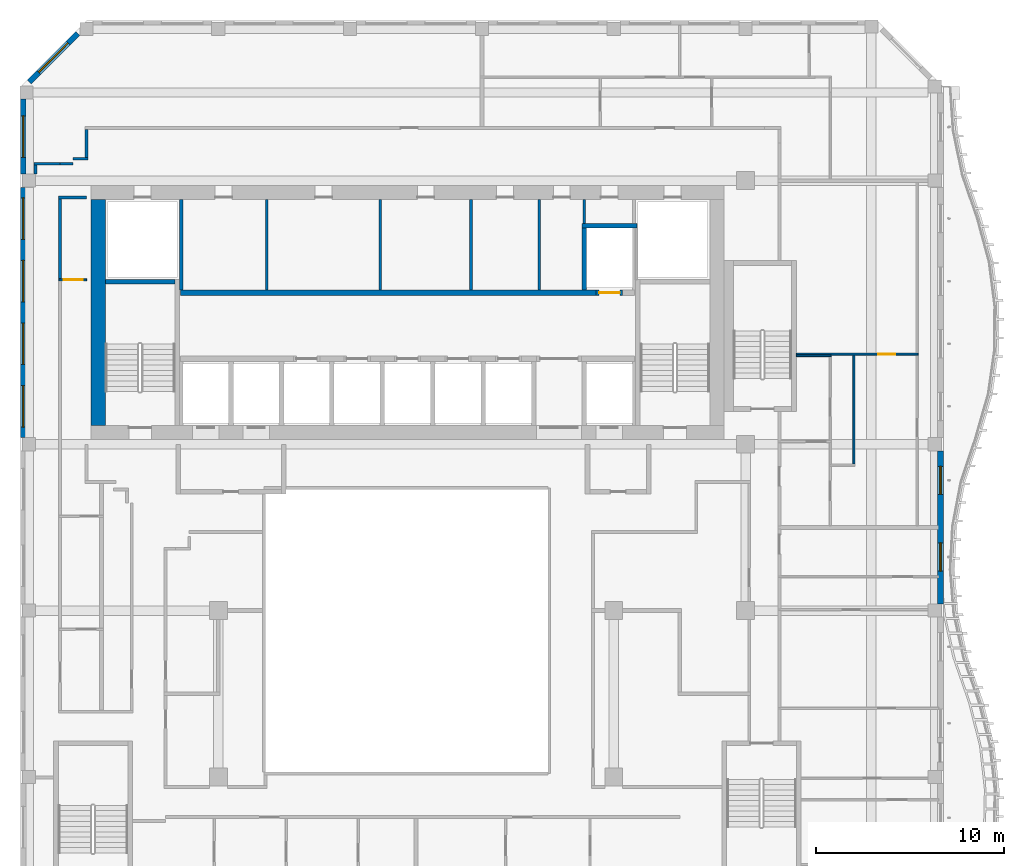
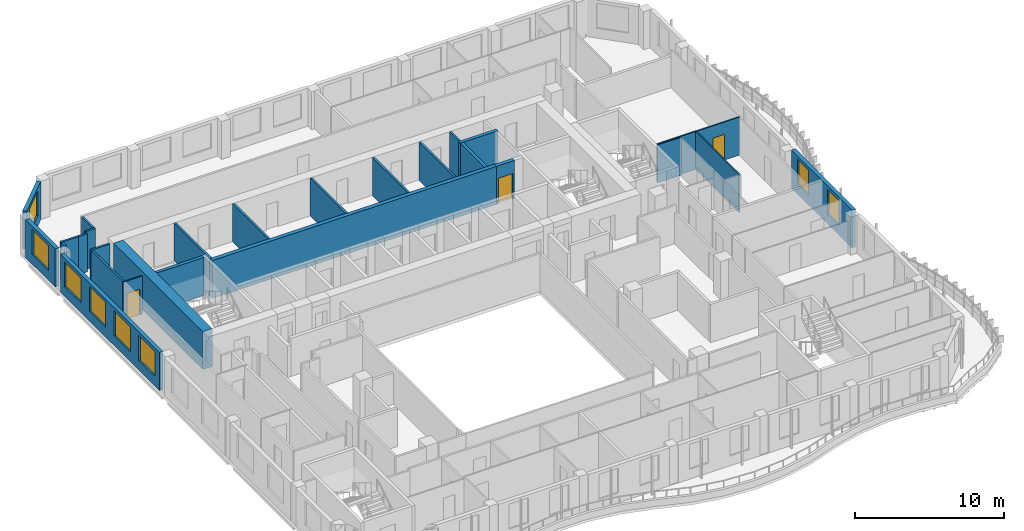
# One storey, part 7 of 19: 27 walls, 8 windows, 3 doors, 11 openings.
"""IFC4 building model written with IfcOpenShell, lengths in metres."""

from ifc_helpers import new_model, si_unit, direction, frame, frame_2d, origin, place, context, subcontext, project, spatial, rectangle, extrude, source, transform, mapped, material, layer, layer_set, type_object, element, fill, save


model = new_model("IFC4")

# Units and contexts
model_context = context("Model", 3, precision=1e-05, world=origin(), true_north=direction((0.0, 1.0)))
body_context = subcontext(model_context, "Body", "Model", "MODEL_VIEW")
ifc_project = project(units=[si_unit("LENGTHUNIT", "METRE"), si_unit("AREAUNIT", "SQUARE_METRE"), si_unit("VOLUMEUNIT", "CUBIC_METRE"), si_unit("PLANEANGLEUNIT", "RADIAN"), si_unit("MASSUNIT", "GRAM", prefix="KILO")], contexts=[model_context])

# Site, building, storey
site_placement = place(None, origin())
site = spatial("IfcSite", under=ifc_project, at=site_placement, CompositionType="ELEMENT")
building_placement = place(site_placement, origin())
building = spatial("IfcBuilding", under=site, at=building_placement, Name="Kilnfold Tower and Market Hall", CompositionType="ELEMENT")
storey_placement = place(building_placement, frame((0.0, 0.0, 252.60009765625)))
storey = spatial("IfcBuildingStorey", under=building, at=storey_placement, Name="L61", CompositionType="ELEMENT", Elevation=252.60009765625)

# Walls
ifc_material_1 = material(Name="Gypsum board on steel studs", Category="steel")
ifc_layer_1 = layer(ifc_material_1, 0.14990234375)
ifc_layer_set_1 = layer_set([ifc_layer_1], Name="Gypsum board on steel studs")
wall_type_1 = type_object("IfcWallType", Name="WALL CORRIDOR 150", PredefinedType="PARTITIONING", material=ifc_layer_set_1)
wall_1_placement = place(storey_placement, frame((-17.47509765625, 21.10009765625, 0.0), z_axis=(0.0, 0.0, 1.0), x_axis=(1.0, 0.0, 0.0)))
element("IfcWall", 1, at=wall_1_placement, inside=storey, type_object=wall_type_1, Name="Partition LY37.7", PredefinedType="PARTITIONING", context=body_context, shape_type="SweptSolid", body=[
    extrude(rectangle(XDim=1.47509765625, YDim=0.14990234375, at=frame_2d((0.737548828125, 0.0))), origin(), (0.0, 0.0, 1.0), 3.119873046875),
])
wall_2_placement = place(storey_placement, frame((-17.39990234375, 16.77099609375, 0.0), z_axis=(0.0, 0.0, 1.0), x_axis=(0.0, 1.0, 0.0)))
element("IfcWall", 2, at=wall_2_placement, inside=storey, type_object=wall_type_1, Name="Partition LY37.8", PredefinedType="PARTITIONING", context=body_context, shape_type="SweptSolid", body=[
    extrude(rectangle(XDim=4.25390625, YDim=0.14990234375, at=frame_2d((2.126953125, 0.0))), origin(), (0.0, 0.0, 1.0), 3.119873046875),
])
wall_3_placement = place(storey_placement, frame((-17.39794921875, 22.902099609375, 0.0), z_axis=(0.0, 0.0, 1.0), x_axis=(-1.0, 0.0, 0.0)))
element("IfcWall", 3, at=wall_3_placement, inside=storey, type_object=wall_type_1, Name="Partition LY37.22", PredefinedType="PARTITIONING", context=body_context, shape_type="SweptSolid", body=[
    extrude(rectangle(XDim=1.379150390625, YDim=0.14990234375, at=frame_2d((0.689453125, 0.0))), origin(), (0.0, 0.0, 1.0), 3.119873046875),
])
wall_4_placement = place(storey_placement, frame((-16.7119140625, 22.89990234375, 0.0), z_axis=(0.0, 0.0, 1.0), x_axis=(-1.0, 0.0, 0.0)))
element("IfcWall", 4, at=wall_4_placement, inside=storey, type_object=wall_type_1, Name="Partition LY37.23", PredefinedType="PARTITIONING", context=body_context, shape_type="SweptSolid", body=[
    extrude(rectangle(XDim=0.68603515625, YDim=0.14990234375, at=frame_2d((0.343017578125, 0.0))), origin(), (0.0, 0.0, 1.0), 3.119873046875),
])
wall_5_placement = place(storey_placement, frame((-15.925048828125, 23.1630859375, 0.0), z_axis=(0.0, 0.0, 1.0), x_axis=(-1.0, 0.0, 0.0)))
element("IfcWall", 5, at=wall_5_placement, inside=storey, type_object=wall_type_1, Name="Partition LY37.24", PredefinedType="PARTITIONING", context=body_context, shape_type="SweptSolid", body=[
    extrude(rectangle(XDim=0.786865234375, YDim=0.14990234375, at=frame_2d((0.3935546875, 0.0))), origin(), (0.0, 0.0, 1.0), 3.119873046875),
])
wall_6_placement = place(storey_placement, frame((-16.0, 23.238037109375, 0.0), z_axis=(0.0, 0.0, 1.0), x_axis=(0.0, 1.0, 0.0)))
element("IfcWall", 6, at=wall_6_placement, inside=storey, type_object=wall_type_1, Name="Partition LY37.25", PredefinedType="PARTITIONING", context=body_context, shape_type="SweptSolid", body=[
    extrude(rectangle(XDim=1.487060546875, YDim=0.14990234375, at=frame_2d((0.74365234375, 0.0))), origin(), (0.0, 0.0, 1.0), 3.119873046875),
])
wall_7_placement = place(storey_placement, frame((-18.701904296875, 22.826904296875, 0.0), z_axis=(0.0, 0.0, 1.0), x_axis=(0.0, -1.0, 0.0)))
element("IfcWall", 7, at=wall_7_placement, inside=storey, type_object=wall_type_1, Name="Partition LY37.27", PredefinedType="PARTITIONING", context=body_context, shape_type="SweptSolid", body=[
    extrude(rectangle(XDim=0.476806640625, YDim=0.14990234375, at=frame_2d((0.23828125, 0.0))), origin(), (0.0, 0.0, 1.0), 3.119873046875),
])

# Wall, opening, door
ifc_material_2 = material(Name="Gypsum board on steel studs", Category="steel")
ifc_layer_2 = layer(ifc_material_2, 0.10009765625)
ifc_layer_set_2 = layer_set([ifc_layer_2], Name="Gypsum board on steel studs")
wall_type_2 = type_object("IfcWallType", Name="WALL PARTITION 100", PredefinedType="PARTITIONING", material=ifc_layer_set_2)
wall_8_placement = place(storey_placement, frame((-16.0, 16.73095703125, 0.0), z_axis=(0.0, 0.0, 1.0), x_axis=(-1.0, 0.0, 0.0)))
wall_8 = element("IfcWall", 8, at=wall_8_placement, inside=storey, type_object=wall_type_2, Name="Partition LY37.54", PredefinedType="PARTITIONING", context=body_context, shape_type="SweptSolid", body=[
    extrude(rectangle(XDim=1.472900390625, YDim=0.10009765625, at=frame_2d((0.736328125, 0.0))), origin(), (0.0, 0.0, 1.0), 3.119873046875),
])
opening_1_placement = place(wall_8_placement, frame((0.199951171875, 0.0, 0.0)))
opening_1 = element("IfcOpeningElement", 9, at=opening_1_placement, cuts=wall_8, Name="Opening D1", PredefinedType="OPENING", context=body_context, shape_type="SweptSolid", body=[
    extrude(rectangle(XDim=1.0, YDim=2.10009765625, at=frame_2d((0.5, 1.050048828125))), frame((0.0, 0.06005859375, 0.0), z_axis=(0.0, -1.0, 0.0), x_axis=(1.0, 0.0, 0.0)), (0.0, 0.0, 1.0), 0.1201171875),
])
ifc_material_3 = material(Name="Timber veneer door leaf in steel frame", Category="steel")
door_type_1 = type_object("IfcDoorType", Name="DOOR ENTRY 1000 X2100", OperationType="NOTDEFINED", PredefinedType="DOOR", material=ifc_material_3)
door_1_placement = place(opening_1_placement, origin())
door_1 = element("IfcDoor", 10, at=door_1_placement, inside=storey, type_object=door_type_1, Name="Door D1", OperationType="SINGLE_SWING_LEFT", OverallHeight=2.10009765625, OverallWidth=1.0, PredefinedType="DOOR", context=body_context, shape_type="SweptSolid", body=[
    extrude(rectangle(XDim=1.0, YDim=2.10009765625, at=frame_2d((0.5, 1.050048828125))), frame((0.0, 0.02490234375, 0.0), z_axis=(0.0, -1.0, 0.0), x_axis=(1.0, 0.0, 0.0)), (0.0, 0.0, 1.0), 0.050048828125),
])
fill(opening_1, door_1)

# Wall
wall_9_placement = place(storey_placement, frame((24.7509765625, 12.740966796875, 0.0), z_axis=(0.0, 0.0, 1.0), x_axis=(0.0, -1.0, 0.0)))
element("IfcWall", 11, at=wall_9_placement, inside=storey, type_object=wall_type_2, Name="Partition LY37.82", PredefinedType="PARTITIONING", context=body_context, shape_type="SweptSolid", body=[
    extrude(rectangle(XDim=5.800048828125, YDim=0.10009765625, at=frame_2d((2.89990234375, 0.0))), origin(), (0.0, 0.0, 1.0), 3.119873046875),
])

# Wall, opening, door
wall_10_placement = place(storey_placement, frame((21.699951171875, 12.791015625, 0.0), z_axis=(0.0, 0.0, 1.0), x_axis=(1.0, 0.0, 0.0)))
wall_10 = element("IfcWall", 12, at=wall_10_placement, inside=storey, type_object=wall_type_2, Name="Partition LY37.85", PredefinedType="PARTITIONING", context=body_context, shape_type="SweptSolid", body=[
    extrude(rectangle(XDim=6.4609375, YDim=0.10009765625, at=frame_2d((3.23046875, 0.0))), origin(), (0.0, 0.0, 1.0), 3.119873046875),
])
opening_2_placement = place(wall_10_placement, frame((4.35595703125, 0.0, 0.0)))
opening_2 = element("IfcOpeningElement", 13, at=opening_2_placement, cuts=wall_10, Name="Opening D2", PredefinedType="OPENING", context=body_context, shape_type="SweptSolid", body=[
    extrude(rectangle(XDim=0.89990234375, YDim=2.10009765625, at=frame_2d((0.449951171875, 1.050048828125))), frame((0.0, 0.06005859375, 0.0), z_axis=(0.0, -1.0, 0.0), x_axis=(1.0, 0.0, 0.0)), (0.0, 0.0, 1.0), 0.1201171875),
])
ifc_material_4 = material(Name="Timber veneer door leaf in steel frame", Category="steel")
door_type_2 = type_object("IfcDoorType", Name="DOOR ROOM 900 X2100", OperationType="NOTDEFINED", PredefinedType="DOOR", material=ifc_material_4)
door_2_placement = place(opening_2_placement, origin())
door_2 = element("IfcDoor", 14, at=door_2_placement, inside=storey, type_object=door_type_2, Name="Door D2", OperationType="SINGLE_SWING_LEFT", OverallHeight=2.10009765625, OverallWidth=0.89990234375, PredefinedType="DOOR", context=body_context, shape_type="SweptSolid", body=[
    extrude(rectangle(XDim=0.89990234375, YDim=2.10009765625, at=frame_2d((0.449951171875, 1.050048828125))), frame((0.0, 0.02490234375, 0.0), z_axis=(0.0, -1.0, 0.0), x_axis=(1.0, 0.0, 0.0)), (0.0, 0.0, 1.0), 0.050048828125),
])
fill(opening_2, door_2)

# Walls
wall_11_placement = place(storey_placement, frame((23.550048828125, 12.699951171875, 0.0), z_axis=(0.0, 0.0, 1.0), x_axis=(-1.0, 0.0, 0.0)))
element("IfcWall", 15, at=wall_11_placement, inside=storey, type_object=wall_type_2, Name="Partition LY37.88", PredefinedType="PARTITIONING", context=body_context, shape_type="SweptSolid", body=[
    extrude(rectangle(XDim=1.85009765625, YDim=0.10009765625, at=frame_2d((0.925048828125, 0.0))), origin(), (0.0, 0.0, 1.0), 3.119873046875),
])
ifc_material_5 = material(Name="Concrete C60", Category="concrete")
ifc_layer_3 = layer(ifc_material_5, 0.25)
ifc_layer_set_3 = layer_set([ifc_layer_3], Name="Concrete C60")
wall_type_3 = type_object("IfcWallType", Name="CORE WALL 250 C60", PredefinedType="SHEAR", material=ifc_layer_set_3)
shared_shape_1 = source(origin(), body_context, "Body", "SweptSolid", [
    extrude(rectangle(XDim=3.699951171875, YDim=0.25, at=frame_2d((1.85009765625, 0.0))), origin(), (0.0, 0.0, 1.0), 3.119873046875),
])
wall_12_placement = place(storey_placement, frame((-15.0, 16.625, 0.0), z_axis=(0.0, 0.0, 1.0), x_axis=(1.0, 0.0, 0.0)))
element("IfcWall", 16, at=wall_12_placement, inside=storey, type_object=wall_type_3, Name="Stair enclosure ST1", PredefinedType="SHEAR", context=body_context, shape_type="MappedRepresentation", body=[
    mapped(shared_shape_1, transform((0.0, 0.0, 0.0))),
])
ifc_material_6 = material(Name="Concrete C60", Category="concrete")
ifc_layer_4 = layer(ifc_material_6, 0.75)
ifc_layer_set_4 = layer_set([ifc_layer_4], Name="Concrete C60")
wall_type_4 = type_object("IfcWallType", Name="CORE WALL 750 C60", PredefinedType="SHEAR", material=ifc_layer_set_4)
shared_shape_2 = source(origin(), body_context, "Body", "SweptSolid", [
    extrude(rectangle(XDim=12.0, YDim=0.75, at=frame_2d((6.0, 0.0))), origin(), (0.0, 0.0, 1.0), 3.119873046875),
])
wall_13_placement = place(storey_placement, frame((-15.375, 9.0, 0.0), z_axis=(0.0, 0.0, 1.0), x_axis=(0.0, 1.0, 0.0)))
element("IfcWall", 17, at=wall_13_placement, inside=storey, type_object=wall_type_4, Name="Core outer wall west", PredefinedType="SHEAR", context=body_context, shape_type="MappedRepresentation", body=[
    mapped(shared_shape_2, transform((0.0, 0.0, 0.0))),
])
ifc_material_7 = material(Name="Concrete C60", Category="concrete")
ifc_layer_5 = layer(ifc_material_7, 0.300048828125)
ifc_layer_set_5 = layer_set([ifc_layer_5], Name="Concrete C60")
wall_type_5 = type_object("IfcWallType", Name="CORE WALL 300 C60", PredefinedType="SHEAR", material=ifc_layer_set_5)
shared_shape_3 = source(origin(), body_context, "Body", "SweptSolid", [
    extrude(rectangle(XDim=22.080078125, YDim=0.300048828125, at=frame_2d((11.0400390625, 0.0))), origin(), (0.0, 0.0, 1.0), 3.119873046875),
])
wall_14_placement = place(storey_placement, frame((-11.010009765625, 16.050048828125, 0.0), z_axis=(0.0, 0.0, 1.0), x_axis=(1.0, 0.0, 0.0)))
element("IfcWall", 18, at=wall_14_placement, inside=storey, type_object=wall_type_5, Name="Core spine wall", PredefinedType="SHEAR", context=body_context, shape_type="MappedRepresentation", body=[
    mapped(shared_shape_3, transform((0.0, 0.0, 0.0))),
])

# Wall, opening, window
ifc_material_8 = material(Name="Precast concrete C50/60", Category="concrete")
ifc_layer_6 = layer(ifc_material_8, 0.300048828125)
ifc_layer_set_6 = layer_set([ifc_layer_6], Name="Precast concrete C50/60")
wall_type_6 = type_object("IfcWallType", Name="PRECAST WALL 300", PredefinedType="SOLIDWALL", material=ifc_layer_set_6)
shared_shape_4 = source(origin(), body_context, "Body", "SweptSolid", [
    extrude(rectangle(XDim=3.6416015625, YDim=0.300048828125, at=frame_2d((1.82080078125, 0.0))), origin(), (0.0, 0.0, 1.0), 3.119873046875),
])
wall_15_placement = place(storey_placement, frame((-16.468994140625, 29.81884765625, 0.0), z_axis=(0.0, 0.0, 1.0), x_axis=(-0.707106781187, -0.707106781187, 0.0)))
wall_15 = element("IfcWall", 19, at=wall_15_placement, inside=storey, type_object=wall_type_6, Name="External wall L61 NW", PredefinedType="SOLIDWALL", context=body_context, shape_type="MappedRepresentation", body=[
    mapped(shared_shape_4, transform((0.0, 0.0, 0.0))),
])
opening_3_placement = place(wall_15_placement, frame((0.720703125, 0.0, 0.800048828125)))
opening_3 = element("IfcOpeningElement", 20, at=opening_3_placement, cuts=wall_15, Name="Opening W3", PredefinedType="OPENING", context=body_context, shape_type="SweptSolid", body=[
    extrude(rectangle(XDim=2.199951171875, YDim=2.050048828125, at=frame_2d((1.10009765625, 1.02490234375))), frame((0.0, 0.16015625, 0.0), z_axis=(0.0, -1.0, 0.0), x_axis=(1.0, 0.0, 0.0)), (0.0, 0.0, 1.0), 0.320068359375),
])
ifc_material_9 = material(Name="Aluminium frame and double glazing", Category="aluminium")
window_type_1 = type_object("IfcWindowType", Name="WINDOW W3 2200X2050", PartitioningType="SINGLE_PANEL", PredefinedType="WINDOW", material=ifc_material_9)
window_1_placement = place(opening_3_placement, origin())
window_1 = element("IfcWindow", 21, at=window_1_placement, inside=storey, type_object=window_type_1, Name="Window W3 L61 NW-1", OverallHeight=2.050048828125, OverallWidth=2.199951171875, PartitioningType="SINGLE_PANEL", PredefinedType="WINDOW", context=body_context, shape_type="SweptSolid", body=[
    extrude(rectangle(XDim=2.199951171875, YDim=2.050048828125, at=frame_2d((1.10009765625, 1.02490234375))), frame((0.0, 0.030029296875, 0.0), z_axis=(0.0, -1.0, 0.0), x_axis=(1.0, 0.0, 0.0)), (0.0, 0.0, 1.0), 0.06005859375),
])
fill(opening_3, window_1)

# Wall, openings, windows
shared_shape_5 = source(origin(), body_context, "Body", "SweptSolid", [
    extrude(rectangle(XDim=8.13330078125, YDim=0.300048828125, at=frame_2d((4.066650390625, 0.0))), origin(), (0.0, 0.0, 1.0), 3.119873046875),
])
wall_16_placement = place(storey_placement, frame((29.35009765625, -0.4833984375, 0.0), z_axis=(0.0, 0.0, 1.0), x_axis=(0.0, 1.0, 0.0)))
wall_16 = element("IfcWall", 22, at=wall_16_placement, inside=storey, type_object=wall_type_6, Name="External wall L61 E", PredefinedType="SOLIDWALL", context=body_context, shape_type="MappedRepresentation", body=[
    mapped(shared_shape_5, transform((0.0, 0.0, 0.0))),
])
opening_4_placement = place(wall_16_placement, frame((1.75, 0.0, 0.800048828125)))
opening_4 = element("IfcOpeningElement", 23, at=opening_4_placement, cuts=wall_16, Name="Opening W5", PredefinedType="OPENING", context=body_context, shape_type="SweptSolid", body=[
    extrude(rectangle(XDim=1.5, YDim=2.050048828125, at=frame_2d((0.75, 1.02490234375))), frame((0.0, 0.16015625, 0.0), z_axis=(0.0, -1.0, 0.0), x_axis=(1.0, 0.0, 0.0)), (0.0, 0.0, 1.0), 0.320068359375),
])
opening_5_placement = place(wall_16_placement, frame((5.816650390625, 0.0, 0.800048828125)))
opening_5 = element("IfcOpeningElement", 24, at=opening_5_placement, cuts=wall_16, Name="Opening W5", PredefinedType="OPENING", context=body_context, shape_type="SweptSolid", body=[
    extrude(rectangle(XDim=1.5, YDim=2.050048828125, at=frame_2d((0.75, 1.02490234375))), frame((0.0, 0.16015625, 0.0), z_axis=(0.0, -1.0, 0.0), x_axis=(1.0, 0.0, 0.0)), (0.0, 0.0, 1.0), 0.320068359375),
])
ifc_material_10 = material(Name="Aluminium frame and double glazing", Category="aluminium")
window_type_2 = type_object("IfcWindowType", Name="WINDOW W5 1500X2050", PartitioningType="SINGLE_PANEL", PredefinedType="WINDOW", material=ifc_material_10)
window_2_placement = place(opening_4_placement, origin())
window_2 = element("IfcWindow", 25, at=window_2_placement, inside=storey, type_object=window_type_2, Name="Window W5 L61 E-1", OverallHeight=2.050048828125, OverallWidth=1.5, PartitioningType="SINGLE_PANEL", PredefinedType="WINDOW", context=body_context, shape_type="SweptSolid", body=[
    extrude(rectangle(XDim=1.5, YDim=2.050048828125, at=frame_2d((0.75, 1.02490234375))), frame((0.0, 0.030029296875, 0.0), z_axis=(0.0, -1.0, 0.0), x_axis=(1.0, 0.0, 0.0)), (0.0, 0.0, 1.0), 0.06005859375),
])
fill(opening_4, window_2)
window_3_placement = place(opening_5_placement, origin())
window_3 = element("IfcWindow", 26, at=window_3_placement, inside=storey, type_object=window_type_2, Name="Window W5 L61 E-2", OverallHeight=2.050048828125, OverallWidth=1.5, PartitioningType="SINGLE_PANEL", PredefinedType="WINDOW", context=body_context, shape_type="SweptSolid", body=[
    extrude(rectangle(XDim=1.5, YDim=2.050048828125, at=frame_2d((0.75, 1.02490234375))), frame((0.0, 0.030029296875, 0.0), z_axis=(0.0, -1.0, 0.0), x_axis=(1.0, 0.0, 0.0)), (0.0, 0.0, 1.0), 0.06005859375),
])
fill(opening_5, window_3)

shared_shape_6 = source(origin(), body_context, "Body", "SweptSolid", [
    extrude(rectangle(XDim=13.2998046875, YDim=0.300048828125, at=frame_2d((6.64990234375, 0.0))), origin(), (0.0, 0.0, 1.0), 3.119873046875),
])
wall_17_placement = place(storey_placement, frame((-19.35009765625, 21.64990234375, 0.0), z_axis=(0.0, 0.0, 1.0), x_axis=(0.0, -1.0, 0.0)))
wall_17 = element("IfcWall", 27, at=wall_17_placement, inside=storey, type_object=wall_type_6, Name="External wall L61 W", PredefinedType="SOLIDWALL", context=body_context, shape_type="MappedRepresentation", body=[
    mapped(shared_shape_6, transform((0.0, 0.0, 0.0))),
])
opening_6_placement = place(wall_17_placement, frame((0.5625, 0.0, 0.800048828125)))
opening_6 = element("IfcOpeningElement", 28, at=opening_6_placement, cuts=wall_17, Name="Opening W3", PredefinedType="OPENING", context=body_context, shape_type="SweptSolid", body=[
    extrude(rectangle(XDim=2.199951171875, YDim=2.050048828125, at=frame_2d((1.10009765625, 1.02490234375))), frame((0.0, 0.16015625, 0.0), z_axis=(0.0, -1.0, 0.0), x_axis=(1.0, 0.0, 0.0)), (0.0, 0.0, 1.0), 0.320068359375),
])
opening_7_placement = place(wall_17_placement, frame((3.887451171875, 0.0, 0.800048828125)))
opening_7 = element("IfcOpeningElement", 29, at=opening_7_placement, cuts=wall_17, Name="Opening W3", PredefinedType="OPENING", context=body_context, shape_type="SweptSolid", body=[
    extrude(rectangle(XDim=2.199951171875, YDim=2.050048828125, at=frame_2d((1.10009765625, 1.02490234375))), frame((0.0, 0.16015625, 0.0), z_axis=(0.0, -1.0, 0.0), x_axis=(1.0, 0.0, 0.0)), (0.0, 0.0, 1.0), 0.320068359375),
])
opening_8_placement = place(wall_17_placement, frame((7.21240234375, 0.0, 0.800048828125)))
opening_8 = element("IfcOpeningElement", 30, at=opening_8_placement, cuts=wall_17, Name="Opening W3", PredefinedType="OPENING", context=body_context, shape_type="SweptSolid", body=[
    extrude(rectangle(XDim=2.199951171875, YDim=2.050048828125, at=frame_2d((1.10009765625, 1.02490234375))), frame((0.0, 0.16015625, 0.0), z_axis=(0.0, -1.0, 0.0), x_axis=(1.0, 0.0, 0.0)), (0.0, 0.0, 1.0), 0.320068359375),
])
opening_9_placement = place(wall_17_placement, frame((10.53759765625, 0.0, 0.800048828125)))
opening_9 = element("IfcOpeningElement", 31, at=opening_9_placement, cuts=wall_17, Name="Opening W3", PredefinedType="OPENING", context=body_context, shape_type="SweptSolid", body=[
    extrude(rectangle(XDim=2.199951171875, YDim=2.050048828125, at=frame_2d((1.10009765625, 1.02490234375))), frame((0.0, 0.16015625, 0.0), z_axis=(0.0, -1.0, 0.0), x_axis=(1.0, 0.0, 0.0)), (0.0, 0.0, 1.0), 0.320068359375),
])
window_4_placement = place(opening_6_placement, origin())
window_4 = element("IfcWindow", 32, at=window_4_placement, inside=storey, type_object=window_type_1, Name="Window W3 L61 W-1", OverallHeight=2.050048828125, OverallWidth=2.199951171875, PartitioningType="SINGLE_PANEL", PredefinedType="WINDOW", context=body_context, shape_type="SweptSolid", body=[
    extrude(rectangle(XDim=2.199951171875, YDim=2.050048828125, at=frame_2d((1.10009765625, 1.02490234375))), frame((0.0, 0.030029296875, 0.0), z_axis=(0.0, -1.0, 0.0), x_axis=(1.0, 0.0, 0.0)), (0.0, 0.0, 1.0), 0.06005859375),
])
fill(opening_6, window_4)
window_5_placement = place(opening_7_placement, origin())
window_5 = element("IfcWindow", 33, at=window_5_placement, inside=storey, type_object=window_type_1, Name="Window W3 L61 W-2", OverallHeight=2.050048828125, OverallWidth=2.199951171875, PartitioningType="SINGLE_PANEL", PredefinedType="WINDOW", context=body_context, shape_type="SweptSolid", body=[
    extrude(rectangle(XDim=2.199951171875, YDim=2.050048828125, at=frame_2d((1.10009765625, 1.02490234375))), frame((0.0, 0.030029296875, 0.0), z_axis=(0.0, -1.0, 0.0), x_axis=(1.0, 0.0, 0.0)), (0.0, 0.0, 1.0), 0.06005859375),
])
fill(opening_7, window_5)
window_6_placement = place(opening_8_placement, origin())
window_6 = element("IfcWindow", 34, at=window_6_placement, inside=storey, type_object=window_type_1, Name="Window W3 L61 W-3", OverallHeight=2.050048828125, OverallWidth=2.199951171875, PartitioningType="SINGLE_PANEL", PredefinedType="WINDOW", context=body_context, shape_type="SweptSolid", body=[
    extrude(rectangle(XDim=2.199951171875, YDim=2.050048828125, at=frame_2d((1.10009765625, 1.02490234375))), frame((0.0, 0.030029296875, 0.0), z_axis=(0.0, -1.0, 0.0), x_axis=(1.0, 0.0, 0.0)), (0.0, 0.0, 1.0), 0.06005859375),
])
fill(opening_8, window_6)
window_7_placement = place(opening_9_placement, origin())
window_7 = element("IfcWindow", 35, at=window_7_placement, inside=storey, type_object=window_type_1, Name="Window W3 L61 W-4", OverallHeight=2.050048828125, OverallWidth=2.199951171875, PartitioningType="SINGLE_PANEL", PredefinedType="WINDOW", context=body_context, shape_type="SweptSolid", body=[
    extrude(rectangle(XDim=2.199951171875, YDim=2.050048828125, at=frame_2d((1.10009765625, 1.02490234375))), frame((0.0, 0.030029296875, 0.0), z_axis=(0.0, -1.0, 0.0), x_axis=(1.0, 0.0, 0.0)), (0.0, 0.0, 1.0), 0.06005859375),
])
fill(opening_9, window_7)

# Wall, opening, window
shared_shape_7 = source(origin(), body_context, "Body", "SweptSolid", [
    extrude(rectangle(XDim=3.981689453125, YDim=0.300048828125, at=frame_2d((1.99072265625, 0.0))), origin(), (0.0, 0.0, 1.0), 3.119873046875),
])
wall_18_placement = place(storey_placement, frame((-19.35009765625, 26.331787109375, 0.0), z_axis=(0.0, 0.0, 1.0), x_axis=(0.0, -1.0, 0.0)))
wall_18 = element("IfcWall", 36, at=wall_18_placement, inside=storey, type_object=wall_type_6, Name="External wall L61 W", PredefinedType="SOLIDWALL", context=body_context, shape_type="MappedRepresentation", body=[
    mapped(shared_shape_7, transform((0.0, 0.0, 0.0))),
])
opening_10_placement = place(wall_18_placement, frame((0.890869140625, 0.0, 0.800048828125)))
opening_10 = element("IfcOpeningElement", 37, at=opening_10_placement, cuts=wall_18, Name="Opening W3", PredefinedType="OPENING", context=body_context, shape_type="SweptSolid", body=[
    extrude(rectangle(XDim=2.199951171875, YDim=2.050048828125, at=frame_2d((1.10009765625, 1.02490234375))), frame((0.0, 0.16015625, 0.0), z_axis=(0.0, -1.0, 0.0), x_axis=(1.0, 0.0, 0.0)), (0.0, 0.0, 1.0), 0.320068359375),
])
window_8_placement = place(opening_10_placement, origin())
window_8 = element("IfcWindow", 38, at=window_8_placement, inside=storey, type_object=window_type_1, Name="Window W3 L61 W-1", OverallHeight=2.050048828125, OverallWidth=2.199951171875, PartitioningType="SINGLE_PANEL", PredefinedType="WINDOW", context=body_context, shape_type="SweptSolid", body=[
    extrude(rectangle(XDim=2.199951171875, YDim=2.050048828125, at=frame_2d((1.10009765625, 1.02490234375))), frame((0.0, 0.030029296875, 0.0), z_axis=(0.0, -1.0, 0.0), x_axis=(1.0, 0.0, 0.0)), (0.0, 0.0, 1.0), 0.06005859375),
])
fill(opening_10, window_8)

# Wall, opening, door
ifc_material_11 = material(Name="Gypsum shaft wall system")
ifc_layer_7 = layer(ifc_material_11, 0.300048828125)
ifc_layer_set_7 = layer_set([ifc_layer_7], Name="Gypsum shaft wall system")
wall_type_7 = type_object("IfcWallType", Name="SHAFT WALL 300", PredefinedType="PARTITIONING", material=ifc_layer_set_7)
shared_shape_8 = source(origin(), body_context, "Body", "SweptSolid", [
    extrude(rectangle(XDim=1.39990234375, YDim=0.300048828125, at=frame_2d((0.699951171875, 0.0))), origin(), (0.0, 0.0, 1.0), 3.119873046875),
])
wall_19_placement = place(storey_placement, frame((11.070068359375, 16.050048828125, 0.0), z_axis=(0.0, 0.0, 1.0), x_axis=(1.0, 0.0, 0.0)))
wall_19 = element("IfcWall", 39, at=wall_19_placement, inside=storey, type_object=wall_type_7, Name="Lift shaft front wall", PredefinedType="PARTITIONING", context=body_context, shape_type="MappedRepresentation", body=[
    mapped(shared_shape_8, transform((0.0, 0.0, 0.0))),
])
opening_11_placement = place(wall_19_placement, frame((0.14990234375, 0.0, 0.0)))
opening_11 = element("IfcOpeningElement", 40, at=opening_11_placement, cuts=wall_19, Name="Opening LD2", PredefinedType="OPENING", context=body_context, shape_type="SweptSolid", body=[
    extrude(rectangle(XDim=1.10009765625, YDim=2.10009765625, at=frame_2d((0.550048828125, 1.050048828125))), frame((0.0, 0.16015625, 0.0), z_axis=(0.0, -1.0, 0.0), x_axis=(1.0, 0.0, 0.0)), (0.0, 0.0, 1.0), 0.320068359375),
])
ifc_material_12 = material(Name="Steel door set with fire-resisting leaf", Category="steel")
door_type_3 = type_object("IfcDoorType", Name="LANDING DOOR 1100X2100", OperationType="NOTDEFINED", PredefinedType="DOOR", material=ifc_material_12)
door_3_placement = place(opening_11_placement, origin())
door_3 = element("IfcDoor", 41, at=door_3_placement, inside=storey, type_object=door_type_3, Name="Landing door HR6", OperationType="DOUBLE_DOOR_SLIDING", OverallHeight=2.10009765625, OverallWidth=1.10009765625, PredefinedType="DOOR", context=body_context, shape_type="SweptSolid", body=[
    extrude(rectangle(XDim=1.10009765625, YDim=2.10009765625, at=frame_2d((0.550048828125, 1.050048828125))), frame((0.0, 0.02490234375, 0.0), z_axis=(0.0, -1.0, 0.0), x_axis=(1.0, 0.0, 0.0)), (0.0, 0.0, 1.0), 0.050048828125),
])
fill(opening_11, door_3)

# Walls
ifc_material_13 = material(Name="Gypsum shaft wall system")
ifc_layer_8 = layer(ifc_material_13, 0.1650390625)
ifc_layer_set_8 = layer_set([ifc_layer_8], Name="Gypsum shaft wall system")
wall_type_8 = type_object("IfcWallType", Name="SHAFT WALL 165", PredefinedType="PARTITIONING", material=ifc_layer_set_8)
shared_shape_9 = source(origin(), body_context, "Body", "SweptSolid", [
    extrude(rectangle(XDim=4.800048828125, YDim=0.1650390625, at=frame_2d((2.39990234375, 0.0))), origin(), (0.0, 0.0, 1.0), 3.119873046875),
])
wall_20_placement = place(storey_placement, frame((-10.967529296875, 16.199951171875, 0.0), z_axis=(0.0, 0.0, 1.0), x_axis=(0.0, 1.0, 0.0)))
element("IfcWall", 42, at=wall_20_placement, inside=storey, type_object=wall_type_8, Name="Lift shaft wall", PredefinedType="PARTITIONING", context=body_context, shape_type="MappedRepresentation", body=[
    mapped(shared_shape_9, transform((0.0, 0.0, 0.0))),
])
ifc_material_14 = material(Name="Gypsum shaft wall system")
ifc_layer_9 = layer(ifc_material_14, 0.25)
ifc_layer_set_9 = layer_set([ifc_layer_9], Name="Gypsum shaft wall system")
wall_type_9 = type_object("IfcWallType", Name="SHAFT WALL 250", PredefinedType="PARTITIONING", material=ifc_layer_set_9)
shared_shape_10 = source(origin(), body_context, "Body", "SweptSolid", [
    extrude(rectangle(XDim=3.275146484375, YDim=0.25, at=frame_2d((1.6376953125, 0.0))), origin(), (0.0, 0.0, 1.0), 3.119873046875),
])
wall_21_placement = place(storey_placement, frame((10.429931640625, 16.199951171875, 0.0), z_axis=(0.0, 0.0, 1.0), x_axis=(0.0, 1.0, 0.0)))
element("IfcWall", 43, at=wall_21_placement, inside=storey, type_object=wall_type_9, Name="Lift shaft wall", PredefinedType="PARTITIONING", context=body_context, shape_type="MappedRepresentation", body=[
    mapped(shared_shape_10, transform((0.0, 0.0, 0.0))),
])
ifc_material_15 = material(Name="Gypsum shaft wall system")
ifc_layer_10 = layer(ifc_material_15, 0.14990234375)
ifc_layer_set_10 = layer_set([ifc_layer_10], Name="Gypsum shaft wall system")
wall_type_10 = type_object("IfcWallType", Name="ROOM WALL 150", PredefinedType="PARTITIONING", material=ifc_layer_set_10)
shared_shape_11 = source(origin(), body_context, "Body", "SweptSolid", [
    extrude(rectangle(XDim=4.800048828125, YDim=0.14990234375, at=frame_2d((2.39990234375, 0.0))), origin(), (0.0, 0.0, 1.0), 3.119873046875),
])
for number, where, z_axis, x_axis, name in (
    (44, (-6.42724609375, 16.199951171875, 0.0), (0.0, 0.0, 1.0), (0.0, 1.0, 0.0), "Core room wall"),
    (45, (-0.397216796875, 16.199951171875, 0.0), (0.0, 0.0, 1.0), (0.0, 1.0, 0.0), "Core room wall"),
    (46, (4.4267578125, 16.199951171875, 0.0), (0.0, 0.0, 1.0), (0.0, 1.0, 0.0), "Core room wall"),
    (47, (8.044921875, 16.199951171875, 0.0), (0.0, 0.0, 1.0), (0.0, 1.0, 0.0), "Core room wall"),
):
    element("IfcWall", number, at=place(storey_placement, frame(where, z_axis=z_axis, x_axis=x_axis)), inside=storey, type_object=wall_type_10, Name=name, PredefinedType="PARTITIONING", context=body_context, shape_type="MappedRepresentation", body=[
        mapped(shared_shape_11, transform((0.0, 0.0, 0.0))),
    ])
shared_shape_12 = source(origin(), body_context, "Body", "SweptSolid", [
    extrude(rectangle(XDim=1.27490234375, YDim=0.14990234375, at=frame_2d((0.637451171875, 0.0))), origin(), (0.0, 0.0, 1.0), 3.119873046875),
])
wall_22_placement = place(storey_placement, frame((10.429931640625, 19.72509765625, 0.0), z_axis=(0.0, 0.0, 1.0), x_axis=(0.0, 1.0, 0.0)))
element("IfcWall", 48, at=wall_22_placement, inside=storey, type_object=wall_type_10, Name="Core room wall", PredefinedType="PARTITIONING", context=body_context, shape_type="MappedRepresentation", body=[
    mapped(shared_shape_12, transform((0.0, 0.0, 0.0))),
])
shared_shape_13 = source(origin(), body_context, "Body", "SweptSolid", [
    extrude(rectangle(XDim=2.93017578125, YDim=0.25, at=frame_2d((1.465087890625, 0.0))), origin(), (0.0, 0.0, 1.0), 3.119873046875),
])
wall_23_placement = place(storey_placement, frame((10.304931640625, 19.60009765625, 0.0), z_axis=(0.0, 0.0, 1.0), x_axis=(1.0, 0.0, 0.0)))
element("IfcWall", 49, at=wall_23_placement, inside=storey, type_object=wall_type_9, Name="Lift shaft wall", PredefinedType="PARTITIONING", context=body_context, shape_type="MappedRepresentation", body=[
    mapped(shared_shape_13, transform((0.0, 0.0, 0.0))),
])

save(model, "model.ifc")
